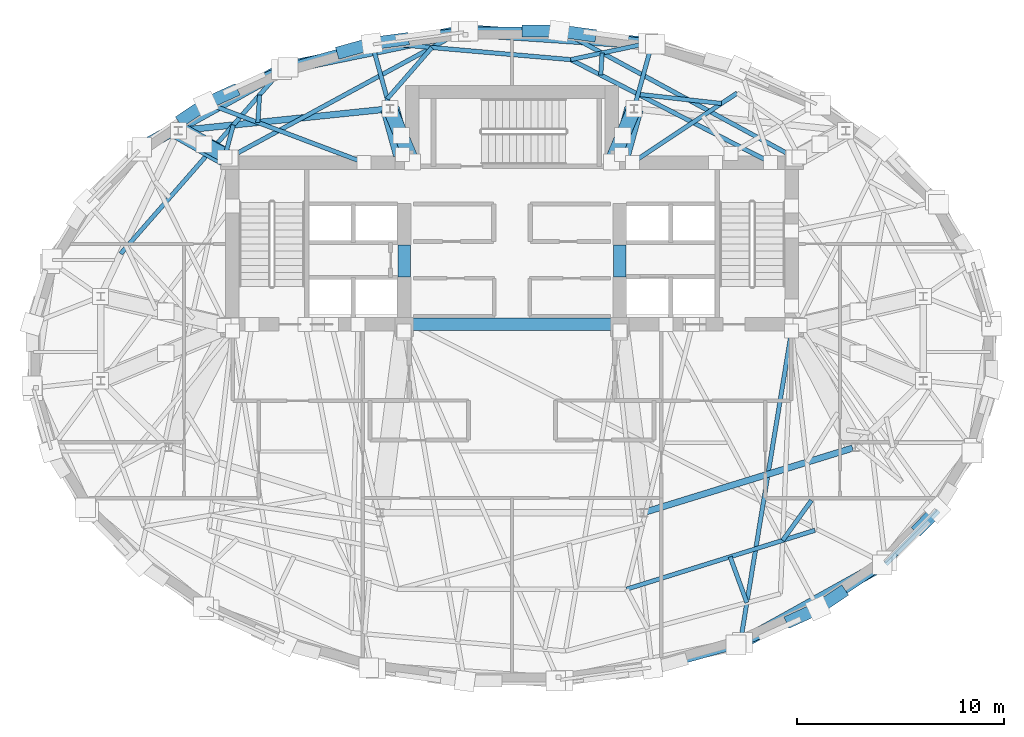
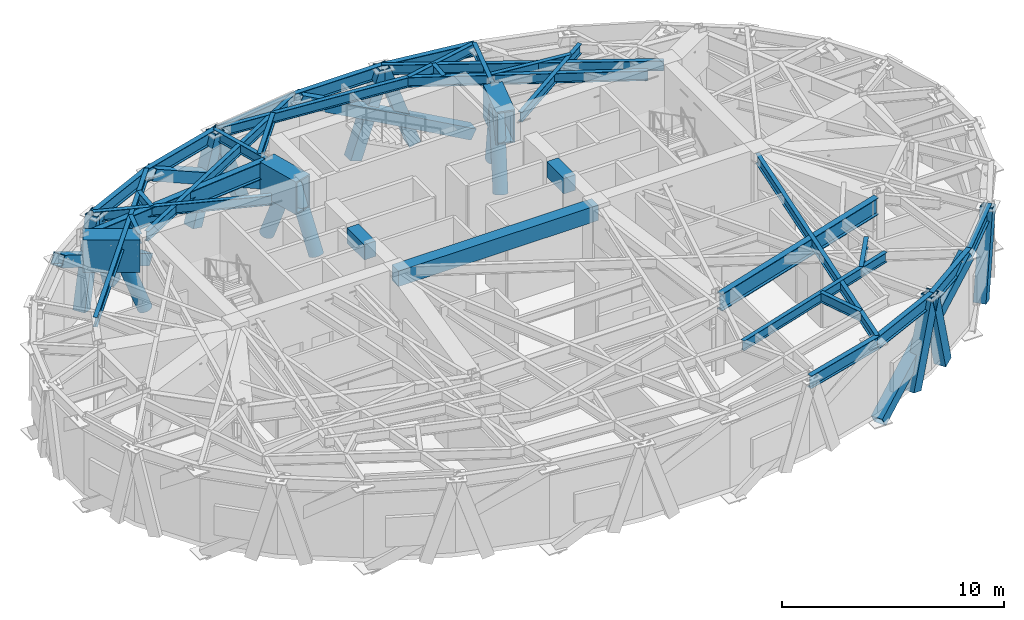
# One storey, part 3 of 12: 36 beams, 18 members.
"""IFC4 building model written with IfcOpenShell, lengths in metres."""

from ifc_helpers import new_model, si_unit, direction, frame, origin, origin_2d, place, context, subcontext, project, spatial, rectangle, hollow_rectangle, hollow_circle, i_section, extrude, material, material_profile, profile_set, type_object, element, save


model = new_model("IFC4")

# Units and contexts
model_context = context("Model", 3, precision=1e-05, world=origin(), true_north=direction((0.0, 1.0)))
body_context = subcontext(model_context, "Body", "Model", "MODEL_VIEW")
ifc_project = project(units=[si_unit("LENGTHUNIT", "METRE"), si_unit("AREAUNIT", "SQUARE_METRE"), si_unit("VOLUMEUNIT", "CUBIC_METRE"), si_unit("PLANEANGLEUNIT", "RADIAN"), si_unit("MASSUNIT", "GRAM", prefix="KILO")], contexts=[model_context])

# Site, building, storey
site_placement = place(None, origin())
site = spatial("IfcSite", under=ifc_project, at=site_placement, CompositionType="ELEMENT")
building_placement = place(site_placement, origin())
building = spatial("IfcBuilding", under=site, at=building_placement, Name="Keldmark Tower", CompositionType="ELEMENT")
storey_placement = place(building_placement, frame((0.0, 0.0, 201.39990234375)))
storey = spatial("IfcBuildingStorey", under=building, at=storey_placement, Name="L56", CompositionType="ELEMENT", Elevation=201.39990234375)

# Members
ifc_material_1 = material(Name="Steel ASTM A572 Grade 50", Category="steel")
ifc_material_profile_1 = material_profile(ifc_material_1, hollow_rectangle(XDim=0.60009765625, YDim=0.60009765625, WallThickness=0.034912109375, at=origin_2d()), Name="BOX600X600X35")
ifc_profile_set_1 = profile_set([ifc_material_profile_1], Name="Steel ASTM A572 Grade 50")
member_type_1 = type_object("IfcMemberType", Name="Belt Truss Diagonal Brace BOX600", PredefinedType="BRACE", material=ifc_profile_set_1)
member_1_placement = place(storey_placement, frame((6.56689453125, 15.08642578125, -0.539794921875), z_axis=(-0.885279894936, 0.058980452356, 0.46130338592), x_axis=(-0.066476138025, -0.997788015098, 0.0)))
element("IfcMember", 1, at=member_1_placement, inside=storey, type_object=member_type_1, Name="L56 Perimeter Belt Truss Brace 04", PredefinedType="BRACE", context=body_context, shape_type="SweptSolid", body=[
    extrude(hollow_rectangle(XDim=0.60009765625, YDim=0.60009765625, WallThickness=0.034912109375, at=origin_2d()), origin(), (0.0, 0.0, 1.0), 9.7978515625),
])
member_2_placement = place(storey_placement, frame((-2.45703125, 15.639892578125, -0.539794921875), z_axis=(-0.865165196499, -0.17796135577, 0.468848524173), x_axis=(0.201478172898, -0.97949300449, 0.0)))
element("IfcMember", 2, at=member_2_placement, inside=storey, type_object=member_type_1, Name="L56 Perimeter Belt Truss Brace 05", PredefinedType="BRACE", context=body_context, shape_type="SweptSolid", body=[
    extrude(hollow_rectangle(XDim=0.60009765625, YDim=0.60009765625, WallThickness=0.034912109375, at=origin_2d()), origin(), (0.0, 0.0, 1.0), 9.64013671875),
])
for number, where, z_axis, x_axis, name in (
    (3, (-11.107177734375, 13.812744140625, -0.539794921875), (-0.753842749462, -0.419417746883, 0.505776494792), (0.486188685562, -0.873853856221, 0.0), "L56 Perimeter Belt Truss Brace 06"),
    (4, (11.107177734375, -13.812744140625, -0.539794921875), (0.753842749462, 0.419417746883, 0.505776494792), (-0.486188685562, 0.873853856221, 0.0), "L56 Perimeter Belt Truss Brace 14"),
):
    element("IfcMember", number, at=place(storey_placement, frame(where, z_axis=z_axis, x_axis=x_axis)), inside=storey, type_object=member_type_1, Name=name, PredefinedType="BRACE", context=body_context, shape_type="SweptSolid", body=[
        extrude(hollow_rectangle(XDim=0.60009765625, YDim=0.60009765625, WallThickness=0.034912109375, at=origin_2d()), origin(), (0.0, 0.0, 1.0), 8.936279296875),
    ])

# Beams
ifc_material_2 = material(Name="Concrete C50/60", Category="concrete")
ifc_material_profile_2 = material_profile(ifc_material_2, rectangle(XDim=0.60009765625, YDim=0.85009765625, at=origin_2d()), Name="RCB600X850")
ifc_profile_set_2 = profile_set([ifc_material_profile_2], Name="Concrete C50/60")
beam_type_1 = type_object("IfcBeamType", Name="Core Coupling Beam RCB600X850", PredefinedType="USERDEFINED", material=ifc_profile_set_2)
for number, where, z_axis, x_axis, name in (
    (5, (-5.199951171875, 3.800048828125, 3.85498046875), (0.0, 1.0, 0.0), (-1.0, 0.0, 0.0), "L56 West Core Coupling Beam"),
    (6, (5.199951171875, 3.800048828125, 3.85498046875), (0.0, 1.0, 0.0), (-1.0, 0.0, 0.0), "L56 East Core Coupling Beam"),
):
    element("IfcBeam", number, at=place(storey_placement, frame(where, z_axis=z_axis, x_axis=x_axis)), inside=storey, type_object=beam_type_1, Name=name, ObjectType="COUPLING BEAM", PredefinedType="USERDEFINED", context=body_context, shape_type="SweptSolid", body=[
        extrude(rectangle(XDim=0.60009765625, YDim=0.85009765625, at=origin_2d()), origin(), (0.0, 0.0, 1.0), 1.550048828125),
    ])
beam_1_placement = place(storey_placement, frame((-5.199951171875, 1.52490234375, 3.85498046875), z_axis=(1.0, 0.0, 0.0), x_axis=(0.0, 1.0, 0.0)))
element("IfcBeam", 7, at=beam_1_placement, inside=storey, type_object=beam_type_1, Name="L56 Central South Core Coupling Beam", ObjectType="COUPLING BEAM", PredefinedType="USERDEFINED", context=body_context, shape_type="SweptSolid", body=[
    extrude(rectangle(XDim=0.60009765625, YDim=0.85009765625, at=origin_2d()), origin(), (0.0, 0.0, 1.0), 10.39990234375),
])

# Members
ifc_material_3 = material(Name="Steel ASTM A572 Grade 50", Category="steel")
ifc_material_profile_3 = material_profile(ifc_material_3, hollow_rectangle(XDim=0.60009765625, YDim=0.60009765625, WallThickness=0.034912109375, at=origin_2d()), Name="BOX600X600X35")
ifc_profile_set_3 = profile_set([ifc_material_profile_3], Name="Steel ASTM A572 Grade 50")
member_type_2 = type_object("IfcMemberType", Name="Diagrid Zone 4 Brace BOX600X600X35", PredefinedType="BRACE", material=ifc_profile_set_3)
member_3_placement = place(storey_placement, frame((3.759765625, 15.465087890625, -0.31982421875), z_axis=(-0.315956017263, 0.042612998895, 0.947816399669), x_axis=(-0.133659880997, -0.991027263102, 0.0)))
element("IfcMember", 8, at=member_3_placement, inside=storey, type_object=member_type_2, Name="L56 Perimeter Diagrid Brace 04A", PredefinedType="BRACE", context=body_context, shape_type="SweptSolid", body=[
    extrude(hollow_rectangle(XDim=0.60009765625, YDim=0.60009765625, WallThickness=0.034912109375, at=origin_2d()), origin(), (0.0, 0.0, 1.0), 4.7265625),
])
member_4_placement = place(storey_placement, frame((0.75537109375, 15.664306640625, -0.31982421875), z_axis=(0.321763976245, 0.0, 0.946819910855), x_axis=(0.0, 1.0, 0.0)))
element("IfcMember", 9, at=member_4_placement, inside=storey, type_object=member_type_2, Name="L56 Perimeter Diagrid Brace 04B", PredefinedType="BRACE", context=body_context, shape_type="SweptSolid", body=[
    extrude(hollow_rectangle(XDim=0.60009765625, YDim=0.60009765625, WallThickness=0.034912109375, at=origin_2d()), origin(), (0.0, 0.0, 1.0), 4.731689453125),
])
member_5_placement = place(storey_placement, frame((-5.264404296875, 15.261474609375, -0.31982421875), z_axis=(-0.315956017263, -0.042612998895, 0.947816399669), x_axis=(0.133659880997, -0.991027263102, 0.0)))
element("IfcMember", 10, at=member_5_placement, inside=storey, type_object=member_type_2, Name="L56 Perimeter Diagrid Brace 05A", PredefinedType="BRACE", context=body_context, shape_type="SweptSolid", body=[
    extrude(hollow_rectangle(XDim=0.60009765625, YDim=0.60009765625, WallThickness=0.034912109375, at=origin_2d()), origin(), (0.0, 0.0, 1.0), 4.7265625),
])
member_6_placement = place(storey_placement, frame((-8.15283203125, 14.667236328125, -0.31982421875), z_axis=(0.298528759505, 0.08382845069, 0.95071203348), x_axis=(-0.270348776049, 0.96276245216, 0.0)))
element("IfcMember", 11, at=member_6_placement, inside=storey, type_object=member_type_2, Name="L56 Perimeter Diagrid Brace 05B", PredefinedType="BRACE", context=body_context, shape_type="SweptSolid", body=[
    extrude(hollow_rectangle(XDim=0.60009765625, YDim=0.60009765625, WallThickness=0.034912109375, at=origin_2d()), origin(), (0.0, 0.0, 1.0), 4.712158203125),
])
member_7_placement = place(storey_placement, frame((-13.487060546875, 12.734375, -0.31982421875), z_axis=(-0.269921324387, -0.12231297962, 0.955082202566), x_axis=(0.412744038017, -0.910847055812, 0.0)))
element("IfcMember", 12, at=member_7_placement, inside=storey, type_object=member_type_2, Name="L56 Perimeter Diagrid Brace 06A", PredefinedType="BRACE", context=body_context, shape_type="SweptSolid", body=[
    extrude(hollow_rectangle(XDim=0.60009765625, YDim=0.60009765625, WallThickness=0.034912109375, at=origin_2d()), origin(), (0.0, 0.0, 1.0), 4.690673828125),
])
member_8_placement = place(storey_placement, frame((-15.81982421875, 11.43701171875, -0.31982421875), z_axis=(0.230743516212, 0.156532968244, 0.96034101213), x_axis=(-0.561395845557, 0.827547403229, 0.0)))
element("IfcMember", 13, at=member_8_placement, inside=storey, type_object=member_type_2, Name="L56 Perimeter Diagrid Brace 06B", PredefinedType="BRACE", context=body_context, shape_type="SweptSolid", body=[
    extrude(hollow_rectangle(XDim=0.60009765625, YDim=0.60009765625, WallThickness=0.034912109375, at=origin_2d()), origin(), (0.0, 0.0, 1.0), 4.6650390625),
])
member_9_placement = place(storey_placement, frame((13.487060546875, -12.734375, -0.31982421875), z_axis=(0.269921324387, 0.12231297962, 0.955082202566), x_axis=(-0.412744038017, 0.910847055812, 0.0)))
element("IfcMember", 14, at=member_9_placement, inside=storey, type_object=member_type_2, Name="L56 Perimeter Diagrid Brace 14A", PredefinedType="BRACE", context=body_context, shape_type="SweptSolid", body=[
    extrude(hollow_rectangle(XDim=0.60009765625, YDim=0.60009765625, WallThickness=0.034912109375, at=origin_2d()), origin(), (0.0, 0.0, 1.0), 4.690673828125),
])
member_10_placement = place(storey_placement, frame((15.81982421875, -11.43701171875, -0.31982421875), z_axis=(-0.230743516212, -0.156532968244, 0.96034101213), x_axis=(0.561395845557, -0.827547403229, 0.0)))
element("IfcMember", 15, at=member_10_placement, inside=storey, type_object=member_type_2, Name="L56 Perimeter Diagrid Brace 14B", PredefinedType="BRACE", context=body_context, shape_type="SweptSolid", body=[
    extrude(hollow_rectangle(XDim=0.60009765625, YDim=0.60009765625, WallThickness=0.034912109375, at=origin_2d()), origin(), (0.0, 0.0, 1.0), 4.6650390625),
])
member_11_placement = place(storey_placement, frame((19.656494140625, -8.268310546875, -0.31982421875), z_axis=(0.182345444701, 0.185029317047, 0.965667795171), x_axis=(-0.712253574042, 0.701922250869, 0.0)))
element("IfcMember", 16, at=member_11_placement, inside=storey, type_object=member_type_2, Name="L56 Perimeter Diagrid Brace 15A", PredefinedType="BRACE", context=body_context, shape_type="SweptSolid", body=[
    extrude(hollow_rectangle(XDim=0.60009765625, YDim=0.60009765625, WallThickness=0.034912109375, at=origin_2d()), origin(), (0.0, 0.0, 1.0), 4.63916015625),
])

# Beams
ifc_material_4 = material(Name="Steel ASTM A992 Grade 50", Category="steel")
ifc_material_profile_4 = material_profile(ifc_material_4, i_section(OverallWidth=0.31005859375, OverallDepth=0.931884765625, WebThickness=0.02099609375, FlangeThickness=0.034423828125, at=origin_2d()), Name="W36X210")
ifc_profile_set_4 = profile_set([ifc_material_profile_4], Name="Steel ASTM A992 Grade 50")
beam_type_2 = type_object("IfcBeamType", Name="Outrigger Chord Girder W36X210", PredefinedType="BEAM", material=ifc_profile_set_4)
beam_2_placement = place(storey_placement, frame((-6.01953125, 11.90087890625, 3.814208984375), z_axis=(-0.994702930931, -0.102791435423, 0.0), x_axis=(0.102791435423, -0.994702930931, 0.0)))
element("IfcBeam", 17, at=beam_2_placement, inside=storey, type_object=beam_type_2, Name="L56 Floor Ring Girder FG-R04", PredefinedType="BEAM", context=body_context, shape_type="SweptSolid", body=[
    extrude(i_section(OverallWidth=0.31005859375, OverallDepth=0.931884765625, WebThickness=0.02099609375, FlangeThickness=0.034423828125, at=origin_2d()), origin(), (0.0, 0.0, 1.0), 9.975341796875),
])
beam_3_placement = place(storey_placement, frame((6.485107421875, -7.5048828125, 3.814208984375), z_axis=(0.955494563145, 0.295008711398, 0.0), x_axis=(-0.295008711398, 0.955494563145, 0.0)))
element("IfcBeam", 18, at=beam_3_placement, inside=storey, type_object=beam_type_2, Name="L56 Floor Ring Girder FG-R10", PredefinedType="BEAM", context=body_context, shape_type="SweptSolid", body=[
    extrude(i_section(OverallWidth=0.31005859375, OverallDepth=0.931884765625, WebThickness=0.02099609375, FlangeThickness=0.034423828125, at=origin_2d()), origin(), (0.0, 0.0, 1.0), 10.39013671875),
])

# Members
ifc_material_5 = material(Name="Steel ASTM A572 Grade 50", Category="steel")
ifc_material_profile_5 = material_profile(ifc_material_5, hollow_circle(Radius=0.35009765625, WallThickness=0.031982421875, at=origin_2d()), Name="CHS700X32")
ifc_profile_set_5 = profile_set([ifc_material_profile_5], Name="Steel ASTM A572 Grade 50")
member_type_3 = type_object("IfcMemberType", Name="Outrigger Web Strut CHS700X32", PredefinedType="STRUT", material=ifc_profile_set_5)
member_12_placement = place(storey_placement, frame((-13.60009765625, 9.550048828125, 0.150146484375), z_axis=(-0.30418710682, 0.160712786661, 0.93895772229), x_axis=(-0.467144130585, -0.884181181241, 0.0)))
element("IfcMember", 19, at=member_12_placement, inside=storey, type_object=member_type_3, Name="L56 Core Outrigger Truss Strut 03A", PredefinedType="STRUT", context=body_context, shape_type="SweptSolid", body=[
    extrude(hollow_circle(Radius=0.35009765625, WallThickness=0.031982421875, at=origin_2d()), origin(), (0.0, 0.0, 1.0), 4.078857421875),
])
member_13_placement = place(storey_placement, frame((-4.800048828125, 9.35009765625, 0.150146484375), z_axis=(-0.132531401577, 0.314732121377, 0.939882502959), x_axis=(-0.92162216449, -0.388088373854, 0.0)))
element("IfcMember", 20, at=member_13_placement, inside=storey, type_object=member_type_3, Name="L56 Core Outrigger Truss Strut 04A", PredefinedType="STRUT", context=body_context, shape_type="SweptSolid", body=[
    extrude(hollow_circle(Radius=0.35009765625, WallThickness=0.031982421875, at=origin_2d()), origin(), (0.0, 0.0, 1.0), 4.07470703125),
])
member_14_placement = place(storey_placement, frame((-5.880126953125, 11.915283203125, 0.150146484375), z_axis=(0.132528902253, -0.314786099656, 0.939864778322), x_axis=(0.921648582582, 0.388025630885, 0.0)))
element("IfcMember", 21, at=member_14_placement, inside=storey, type_object=member_type_3, Name="L56 Core Outrigger Truss Strut 04B", PredefinedType="STRUT", context=body_context, shape_type="SweptSolid", body=[
    extrude(hollow_circle(Radius=0.35009765625, WallThickness=0.031982421875, at=origin_2d()), origin(), (0.0, 0.0, 1.0), 4.074951171875),
])
member_15_placement = place(storey_placement, frame((4.800048828125, 9.35009765625, 0.150146484375), z_axis=(0.132531401577, 0.314732121377, 0.939882502959), x_axis=(-0.92162216449, 0.388088373854, 0.0)))
element("IfcMember", 22, at=member_15_placement, inside=storey, type_object=member_type_3, Name="L56 Core Outrigger Truss Strut 08A", PredefinedType="STRUT", context=body_context, shape_type="SweptSolid", body=[
    extrude(hollow_circle(Radius=0.35009765625, WallThickness=0.031982421875, at=origin_2d()), origin(), (0.0, 0.0, 1.0), 4.07470703125),
])
member_16_placement = place(storey_placement, frame((5.880126953125, 11.915283203125, 0.150146484375), z_axis=(-0.132528902253, -0.314786099656, 0.939864778322), x_axis=(0.921648582582, -0.388025630885, 0.0)))
element("IfcMember", 23, at=member_16_placement, inside=storey, type_object=member_type_3, Name="L56 Core Outrigger Truss Strut 08B", PredefinedType="STRUT", context=body_context, shape_type="SweptSolid", body=[
    extrude(hollow_circle(Radius=0.35009765625, WallThickness=0.031982421875, at=origin_2d()), origin(), (0.0, 0.0, 1.0), 4.074951171875),
])

# Beams
ifc_material_6 = material(Name="Steel ASTM A572 Grade 50", Category="steel")
ifc_material_profile_6 = material_profile(ifc_material_6, hollow_rectangle(XDim=0.89990234375, YDim=1.800048828125, WallThickness=0.074951171875, at=origin_2d()), Name="TBOX1800X900X75")
ifc_profile_set_6 = profile_set([ifc_material_profile_6], Name="Steel ASTM A572 Grade 50")
beam_type_3 = type_object("IfcBeamType", Name="Perimeter Transfer Box Girder 1800x900", PredefinedType="USERDEFINED", material=ifc_profile_set_6)
for number, where, z_axis, x_axis, name in (
    (24, (5.880126953125, 11.915283203125, 3.380126953125), (-0.265973656392, -0.963980297571, 0.0), (0.963980297571, -0.265973656392, 0.0), "L56 Upper Crown Transfer Box Girder UTB-TC-N2"),
    (25, (-5.880126953125, 11.915283203125, 3.380126953125), (0.265973656392, -0.963980297571, 0.0), (0.963980297571, 0.265973656392, 0.0), "L56 Upper Crown Transfer Box Girder UTB-TC-N1"),
):
    element("IfcBeam", number, at=place(storey_placement, frame(where, z_axis=z_axis, x_axis=x_axis)), inside=storey, type_object=beam_type_3, Name=name, ObjectType="TRANSFER GIRDER", PredefinedType="USERDEFINED", context=body_context, shape_type="SweptSolid", body=[
        extrude(hollow_rectangle(XDim=0.89990234375, YDim=1.800048828125, WallThickness=0.074951171875, at=origin_2d()), origin(), (0.0, 0.0, 1.0), 2.27734375),
    ])
beam_4_placement = place(storey_placement, frame((-16.08154296875, 10.861083984375, 3.380126953125), z_axis=(0.869274139582, -0.49433032504, 0.0), x_axis=(0.49433032504, 0.869274139582, 0.0)))
element("IfcBeam", 26, at=beam_4_placement, inside=storey, type_object=beam_type_3, Name="L56 Upper Crown Transfer Box Girder UTB-TC-W4", ObjectType="TRANSFER GIRDER", PredefinedType="USERDEFINED", context=body_context, shape_type="SweptSolid", body=[
    extrude(hollow_rectangle(XDim=0.89990234375, YDim=1.800048828125, WallThickness=0.074951171875, at=origin_2d()), origin(), (0.0, 0.0, 1.0), 2.57470703125),
])
ifc_material_7 = material(Name="Steel ASTM A992 Grade 50", Category="steel")
ifc_material_profile_7 = material_profile(ifc_material_7, i_section(OverallWidth=0.2099609375, OverallDepth=0.537109375, WebThickness=0.010986328125, FlangeThickness=0.017333984375, at=origin_2d()), Name="W21X68")
ifc_profile_set_7 = profile_set([ifc_material_profile_7], Name="Steel ASTM A992 Grade 50")
beam_type_4 = type_object("IfcBeamType", Name="Radial Tie Girder W21X68", PredefinedType="BEAM", material=ifc_profile_set_7)
beam_5_placement = place(storey_placement, frame((5.522216796875, -11.238525390625, 4.01171875), z_axis=(0.954455767336, 0.298352456331, 0.0), x_axis=(-0.298352456331, 0.954455767336, 0.0)))
element("IfcBeam", 27, at=beam_5_placement, inside=storey, type_object=beam_type_4, Name="L56 Perimeter Collector Ring Beam CRG1-M10", PredefinedType="BEAM", context=body_context, shape_type="SweptSolid", body=[
    extrude(i_section(OverallWidth=0.2099609375, OverallDepth=0.537109375, WebThickness=0.010986328125, FlangeThickness=0.017333984375, at=origin_2d()), origin(), (0.0, 0.0, 1.0), 9.510986328125),
])
beam_6_placement = place(storey_placement, frame((14.431396484375, -6.960693359375, 4.01171875), z_axis=(-0.584115006613, -0.811670905632, 0.0), x_axis=(0.811670905632, -0.584115006613, 0.0)))
element("IfcBeam", 28, at=beam_6_placement, inside=storey, type_object=beam_type_4, Name="L56 Framing Pin Header PH-008", PredefinedType="BEAM", context=body_context, shape_type="SweptSolid", body=[
    extrude(i_section(OverallWidth=0.2099609375, OverallDepth=0.537109375, WebThickness=0.010986328125, FlangeThickness=0.017333984375, at=origin_2d()), origin(), (0.0, 0.0, 1.0), 2.373291015625),
])
beam_7_placement = place(storey_placement, frame((5.80712890625, 9.324951171875, 4.01171875), z_axis=(0.833152500952, 0.553043316709, 0.0), x_axis=(-0.553043316709, 0.833152500952, 0.0)))
element("IfcBeam", 29, at=beam_7_placement, inside=storey, type_object=beam_type_4, Name="L56 Intermediate Radial Step Girder RT-06M", PredefinedType="BEAM", context=body_context, shape_type="SweptSolid", body=[
    extrude(i_section(OverallWidth=0.2099609375, OverallDepth=0.537109375, WebThickness=0.010986328125, FlangeThickness=0.017333984375, at=origin_2d()), origin(), (0.0, 0.0, 1.0), 6.056640625),
])
for number, where, z_axis, x_axis, name in (
    (30, (5.880126953125, 11.915283203125, 4.01171875), (0.265813668365, 0.964024425889, 0.0), (-0.964024425889, 0.265813668365, 0.0), "L56 Perimeter Column Bracket RT-07"),
    (31, (-5.880126953125, 11.915283203125, 4.01171875), (-0.265813668365, 0.964024425889, 0.0), (-0.964024425889, -0.265813668365, 0.0), "L56 Perimeter Column Bracket RT-10"),
):
    element("IfcBeam", number, at=place(storey_placement, frame(where, z_axis=z_axis, x_axis=x_axis)), inside=storey, type_object=beam_type_4, Name=name, PredefinedType="BEAM", context=body_context, shape_type="SweptSolid", body=[
        extrude(i_section(OverallWidth=0.2099609375, OverallDepth=0.537109375, WebThickness=0.010986328125, FlangeThickness=0.017333984375, at=origin_2d()), origin(), (0.0, 0.0, 1.0), 3.323974609375),
    ])
beam_8_placement = place(storey_placement, frame((-13.843505859375, 9.58837890625, 4.01171875), z_axis=(0.256370688919, 0.966578537866, 0.0), x_axis=(-0.966578537866, 0.256370688919, 0.0)))
element("IfcBeam", 32, at=beam_8_placement, inside=storey, type_object=beam_type_4, Name="L56 Framing Pin Header PH-014", PredefinedType="BEAM", context=body_context, shape_type="SweptSolid", body=[
    extrude(i_section(OverallWidth=0.2099609375, OverallDepth=0.537109375, WebThickness=0.010986328125, FlangeThickness=0.017333984375, at=origin_2d()), origin(), (0.0, 0.0, 1.0), 1.599853515625),
])
beam_9_placement = place(storey_placement, frame((-18.862060546875, 4.9306640625, 4.01171875), z_axis=(0.658526277824, 0.752557732945, 0.0), x_axis=(-0.752557732945, 0.658526277824, 0.0)))
element("IfcBeam", 33, at=beam_9_placement, inside=storey, type_object=beam_type_4, Name="L56 Perimeter Radial Tie Girder RT-11", PredefinedType="BEAM", context=body_context, shape_type="SweptSolid", body=[
    extrude(i_section(OverallWidth=0.2099609375, OverallDepth=0.537109375, WebThickness=0.010986328125, FlangeThickness=0.017333984375, at=origin_2d()), origin(), (0.0, 0.0, 1.0), 11.964111328125),
])
beam_10_placement = place(storey_placement, frame((-12.165283203125, 12.583740234375, 4.01171875), z_axis=(-0.064081451772, -0.997944671582, 0.0), x_axis=(0.997944671582, -0.064081451772, 0.0)))
element("IfcBeam", 34, at=beam_10_placement, inside=storey, type_object=beam_type_4, Name="L56 Framing Pin Header PH-015", PredefinedType="BEAM", context=body_context, shape_type="SweptSolid", body=[
    extrude(i_section(OverallWidth=0.2099609375, OverallDepth=0.537109375, WebThickness=0.010986328125, FlangeThickness=0.017333984375, at=origin_2d()), origin(), (0.0, 0.0, 1.0), 1.32958984375),
])
beam_11_placement = place(storey_placement, frame((-7.139404296875, 9.324951171875, 4.01171875), z_axis=(-0.935404897609, 0.353578389512, 0.0), x_axis=(-0.353578389512, -0.935404897609, 0.0)))
element("IfcBeam", 35, at=beam_11_placement, inside=storey, type_object=beam_type_4, Name="L56 Perimeter Radial Tie Girder RT-12", PredefinedType="BEAM", context=body_context, shape_type="SweptSolid", body=[
    extrude(i_section(OverallWidth=0.2099609375, OverallDepth=0.537109375, WebThickness=0.010986328125, FlangeThickness=0.017333984375, at=origin_2d()), origin(), (0.0, 0.0, 1.0), 8.169921875),
])
beam_12_placement = place(storey_placement, frame((10.514892578125, -9.677734375, 4.01171875), z_axis=(0.342251131078, -0.939608515966, 0.0), x_axis=(0.939608515966, 0.342251131078, 0.0)))
element("IfcBeam", 36, at=beam_12_placement, inside=storey, type_object=beam_type_4, Name="L56 Framing Pin Header PH-025", PredefinedType="BEAM", context=body_context, shape_type="SweptSolid", body=[
    extrude(i_section(OverallWidth=0.2099609375, OverallDepth=0.537109375, WebThickness=0.010986328125, FlangeThickness=0.017333984375, at=origin_2d()), origin(), (0.0, 0.0, 1.0), 2.353271484375),
])
beam_13_placement = place(storey_placement, frame((13.47509765625, 1.199951171875, 4.01171875), z_axis=(-0.162452448919, -0.986716373554, 0.0), x_axis=(0.986716373554, -0.162452448919, 0.0)))
element("IfcBeam", 37, at=beam_13_placement, inside=storey, type_object=beam_type_4, Name="L56 Perimeter Radial Tie Girder RT-27", PredefinedType="BEAM", context=body_context, shape_type="SweptSolid", body=[
    extrude(i_section(OverallWidth=0.2099609375, OverallDepth=0.537109375, WebThickness=0.010986328125, FlangeThickness=0.017333984375, at=origin_2d()), origin(), (0.0, 0.0, 1.0), 15.338134765625),
])
beam_14_placement = place(storey_placement, frame((10.096435546875, 12.172119140625, 4.01171875), z_axis=(-0.993949029024, 0.109842285584, 0.0), x_axis=(-0.109842285584, -0.993949029024, 0.0)))
element("IfcBeam", 38, at=beam_14_placement, inside=storey, type_object=beam_type_4, Name="L56 Framing Pin Header PH-028", PredefinedType="BEAM", context=body_context, shape_type="SweptSolid", body=[
    extrude(i_section(OverallWidth=0.2099609375, OverallDepth=0.537109375, WebThickness=0.010986328125, FlangeThickness=0.017333984375, at=origin_2d()), origin(), (0.0, 0.0, 1.0), 4.04736328125),
])
beam_15_placement = place(storey_placement, frame((12.468017578125, 9.324951171875, 4.01171875), z_axis=(-0.889111271354, 0.457691104513, 0.0), x_axis=(-0.457691104513, -0.889111271354, 0.0)))
element("IfcBeam", 39, at=beam_15_placement, inside=storey, type_object=beam_type_4, Name="L56 Crown Step Radial Girder RT-08RN2", PredefinedType="BEAM", context=body_context, shape_type="SweptSolid", body=[
    extrude(i_section(OverallWidth=0.2099609375, OverallDepth=0.537109375, WebThickness=0.010986328125, FlangeThickness=0.017333984375, at=origin_2d()), origin(), (0.0, 0.0, 1.0), 10.8359375),
])
beam_16_placement = place(storey_placement, frame((2.833740234375, 14.284423828125, 4.01171875), z_axis=(0.978154063126, 0.20788128533, 0.0), x_axis=(-0.20788128533, 0.978154063126, 0.0)))
element("IfcBeam", 40, at=beam_16_placement, inside=storey, type_object=beam_type_4, Name="L56 Crown Step Collector Chord RT-08RP2", PredefinedType="BEAM", context=body_context, shape_type="SweptSolid", body=[
    extrude(i_section(OverallWidth=0.2099609375, OverallDepth=0.537109375, WebThickness=0.010986328125, FlangeThickness=0.017333984375, at=origin_2d()), origin(), (0.0, 0.0, 1.0), 4.017822265625),
])
beam_17_placement = place(storey_placement, frame((4.27880859375, 13.54052734375, 4.01171875), z_axis=(0.06155202722, 0.99810387633, 0.0), x_axis=(-0.99810387633, 0.06155202722, 0.0)))
element("IfcBeam", 41, at=beam_17_placement, inside=storey, type_object=beam_type_4, Name="L56 Framing Pin Header PH-029", PredefinedType="BEAM", context=body_context, shape_type="SweptSolid", body=[
    extrude(i_section(OverallWidth=0.2099609375, OverallDepth=0.537109375, WebThickness=0.010986328125, FlangeThickness=0.017333984375, at=origin_2d()), origin(), (0.0, 0.0, 1.0), 1.06689453125),
])
beam_18_placement = place(storey_placement, frame((13.47509765625, 9.64990234375, 4.01171875), z_axis=(-0.87889821758, 0.477009353298, 0.0), x_axis=(-0.477009353298, -0.87889821758, 0.0)))
element("IfcBeam", 42, at=beam_18_placement, inside=storey, type_object=beam_type_4, Name="L56 Perimeter Radial Tie Girder RT-08R", PredefinedType="BEAM", context=body_context, shape_type="SweptSolid", body=[
    extrude(i_section(OverallWidth=0.2099609375, OverallDepth=0.537109375, WebThickness=0.010986328125, FlangeThickness=0.017333984375, at=origin_2d()), origin(), (0.0, 0.0, 1.0), 12.7333984375),
])
beam_19_placement = place(storey_placement, frame((2.833740234375, 14.284423828125, 4.01171875), z_axis=(-0.996234785265, 0.086696324194, 0.0), x_axis=(-0.086696324194, -0.996234785265, 0.0)))
element("IfcBeam", 43, at=beam_19_placement, inside=storey, type_object=beam_type_4, Name="L56 Straddling Support Chord RT-09RB", PredefinedType="BEAM", context=body_context, shape_type="SweptSolid", body=[
    extrude(i_section(OverallWidth=0.2099609375, OverallDepth=0.537109375, WebThickness=0.010986328125, FlangeThickness=0.017333984375, at=origin_2d()), origin(), (0.0, 0.0, 1.0), 9.6337890625),
])
beam_20_placement = place(storey_placement, frame((-6.0126953125, 12.39599609375, 4.01171875), z_axis=(0.656444376503, 0.754374429946, 0.0), x_axis=(-0.754374429946, 0.656444376503, 0.0)))
element("IfcBeam", 44, at=beam_20_placement, inside=storey, type_object=beam_type_4, Name="L56 Framing Pin Header PH-030", PredefinedType="BEAM", context=body_context, shape_type="SweptSolid", body=[
    extrude(i_section(OverallWidth=0.2099609375, OverallDepth=0.537109375, WebThickness=0.010986328125, FlangeThickness=0.017333984375, at=origin_2d()), origin(), (0.0, 0.0, 1.0), 3.27587890625),
])
beam_21_placement = place(storey_placement, frame((-13.47509765625, 9.64990234375, 4.01171875), z_axis=(0.87889821758, 0.477009353298, 0.0), x_axis=(-0.477009353298, 0.87889821758, 0.0)))
element("IfcBeam", 45, at=beam_21_placement, inside=storey, type_object=beam_type_4, Name="L56 Perimeter Radial Tie Girder RT-09R", PredefinedType="BEAM", context=body_context, shape_type="SweptSolid", body=[
    extrude(i_section(OverallWidth=0.2099609375, OverallDepth=0.537109375, WebThickness=0.010986328125, FlangeThickness=0.017333984375, at=origin_2d()), origin(), (0.0, 0.0, 1.0), 12.7333984375),
])
ifc_material_8 = material(Name="Steel ASTM A992 Grade 50", Category="steel")
ifc_material_profile_8 = material_profile(ifc_material_8, i_section(OverallWidth=0.256103515625, OverallDepth=0.693115234375, WebThickness=0.014404296875, FlangeThickness=0.023681640625, at=origin_2d()), Name="W27X114")
ifc_profile_set_8 = profile_set([ifc_material_profile_8], Name="Steel ASTM A992 Grade 50")
beam_type_5 = type_object("IfcBeamType", Name="Spandrel Ring Beam W27X114", PredefinedType="SPANDREL", material=ifc_profile_set_8)
beam_22_placement = place(storey_placement, frame((6.763671875, 15.11962890625, 3.93359375), z_axis=(-0.991026298245, 0.133667034777, 0.0), x_axis=(-0.133667034777, -0.991026298245, 0.0)))
element("IfcBeam", 46, at=beam_22_placement, inside=storey, type_object=beam_type_5, Name="L56 Perimeter Spandrel Ring Beam SRB-07", PredefinedType="SPANDREL", context=body_context, shape_type="SweptSolid", body=[
    extrude(i_section(OverallWidth=0.256103515625, OverallDepth=0.693115234375, WebThickness=0.014404296875, FlangeThickness=0.023681640625, at=origin_2d()), origin(), (0.0, 0.0, 1.0), 4.5205078125),
])
beam_23_placement = place(storey_placement, frame((2.28369140625, 15.723876953125, 3.93359375), z_axis=(-1.0, 0.0, 0.0), x_axis=(0.0, -1.0, 0.0)))
element("IfcBeam", 47, at=beam_23_placement, inside=storey, type_object=beam_type_5, Name="L56 Perimeter Spandrel Ring Beam SRB-08", PredefinedType="SPANDREL", context=body_context, shape_type="SweptSolid", body=[
    extrude(i_section(OverallWidth=0.256103515625, OverallDepth=0.693115234375, WebThickness=0.014404296875, FlangeThickness=0.023681640625, at=origin_2d()), origin(), (0.0, 0.0, 1.0), 4.5673828125),
])
beam_24_placement = place(storey_placement, frame((-2.28369140625, 15.723876953125, 3.93359375), z_axis=(-0.991026298245, -0.133667034777, 0.0), x_axis=(0.133667034777, -0.991026298245, 0.0)))
element("IfcBeam", 48, at=beam_24_placement, inside=storey, type_object=beam_type_5, Name="L56 Perimeter Spandrel Ring Beam SRB-09", PredefinedType="SPANDREL", context=body_context, shape_type="SweptSolid", body=[
    extrude(i_section(OverallWidth=0.256103515625, OverallDepth=0.693115234375, WebThickness=0.014404296875, FlangeThickness=0.023681640625, at=origin_2d()), origin(), (0.0, 0.0, 1.0), 4.5205078125),
])
beam_25_placement = place(storey_placement, frame((-6.763671875, 15.11962890625, 3.93359375), z_axis=(-0.962739808547, -0.270429401209, 0.0), x_axis=(0.270429401209, -0.962739808547, 0.0)))
element("IfcBeam", 49, at=beam_25_placement, inside=storey, type_object=beam_type_5, Name="L56 Perimeter Spandrel Ring Beam SRB-10", PredefinedType="SPANDREL", context=body_context, shape_type="SweptSolid", body=[
    extrude(i_section(OverallWidth=0.256103515625, OverallDepth=0.693115234375, WebThickness=0.014404296875, FlangeThickness=0.023681640625, at=origin_2d()), origin(), (0.0, 0.0, 1.0), 4.383056640625),
])
beam_26_placement = place(storey_placement, frame((-10.9833984375, 13.934326171875, 3.93359375), z_axis=(-0.910881102331, -0.412668895624, 0.0), x_axis=(0.412668895624, -0.910881102331, 0.0)))
element("IfcBeam", 50, at=beam_26_placement, inside=storey, type_object=beam_type_5, Name="L56 Perimeter Spandrel Ring Beam SRB-11", PredefinedType="SPANDREL", context=body_context, shape_type="SweptSolid", body=[
    extrude(i_section(OverallWidth=0.256103515625, OverallDepth=0.693115234375, WebThickness=0.014404296875, FlangeThickness=0.023681640625, at=origin_2d()), origin(), (0.0, 0.0, 1.0), 4.169677734375),
])
beam_27_placement = place(storey_placement, frame((6.763671875, -15.11962890625, 3.93359375), z_axis=(0.962739808547, 0.270429401209, 0.0), x_axis=(-0.270429401209, 0.962739808547, 0.0)))
element("IfcBeam", 51, at=beam_27_placement, inside=storey, type_object=beam_type_5, Name="L56 Perimeter Spandrel Ring Beam SRB-26", PredefinedType="SPANDREL", context=body_context, shape_type="SweptSolid", body=[
    extrude(i_section(OverallWidth=0.256103515625, OverallDepth=0.693115234375, WebThickness=0.014404296875, FlangeThickness=0.023681640625, at=origin_2d()), origin(), (0.0, 0.0, 1.0), 4.383056640625),
])
beam_28_placement = place(storey_placement, frame((10.9833984375, -13.934326171875, 3.93359375), z_axis=(0.910881102331, 0.412668895624, 0.0), x_axis=(-0.412668895624, 0.910881102331, 0.0)))
element("IfcBeam", 52, at=beam_28_placement, inside=storey, type_object=beam_type_5, Name="L56 Perimeter Spandrel Ring Beam SRB-27", PredefinedType="SPANDREL", context=body_context, shape_type="SweptSolid", body=[
    extrude(i_section(OverallWidth=0.256103515625, OverallDepth=0.693115234375, WebThickness=0.014404296875, FlangeThickness=0.023681640625, at=origin_2d()), origin(), (0.0, 0.0, 1.0), 4.169677734375),
])
beam_29_placement = place(storey_placement, frame((14.781494140625, -12.213623046875, 3.93359375), z_axis=(0.827625248145, 0.5612810781, 0.0), x_axis=(-0.5612810781, 0.827625248145, 0.0)))
element("IfcBeam", 53, at=beam_29_placement, inside=storey, type_object=beam_type_5, Name="L56 Perimeter Spandrel Ring Beam SRB-28", PredefinedType="SPANDREL", context=body_context, shape_type="SweptSolid", body=[
    extrude(i_section(OverallWidth=0.256103515625, OverallDepth=0.693115234375, WebThickness=0.014404296875, FlangeThickness=0.023681640625, at=origin_2d()), origin(), (0.0, 0.0, 1.0), 3.902099609375),
])
beam_30_placement = place(storey_placement, frame((18.010986328125, -10.0234375, 3.93359375), z_axis=(0.701888492814, 0.712286840855, 0.0), x_axis=(-0.712286840855, 0.701888492814, 0.0)))
element("IfcBeam", 54, at=beam_30_placement, inside=storey, type_object=beam_type_5, Name="L56 Perimeter Spandrel Ring Beam SRB-29", PredefinedType="SPANDREL", context=body_context, shape_type="SweptSolid", body=[
    extrude(i_section(OverallWidth=0.256103515625, OverallDepth=0.693115234375, WebThickness=0.014404296875, FlangeThickness=0.023681640625, at=origin_2d()), origin(), (0.0, 0.0, 1.0), 3.61572265625),
])

save(model, "model.ifc")
